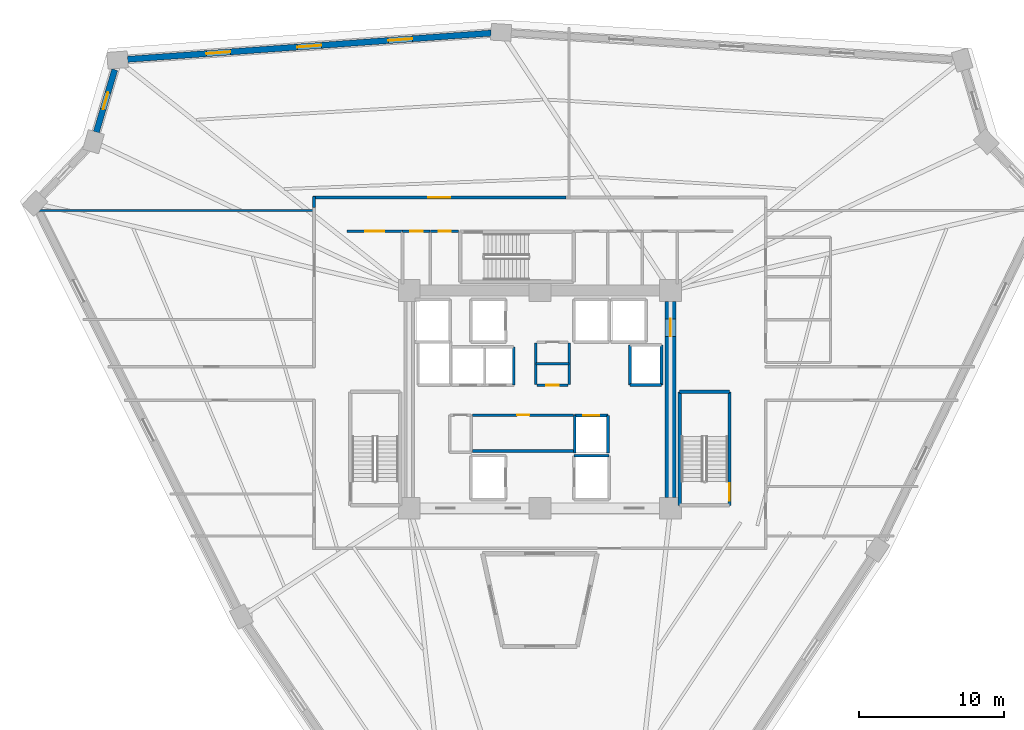
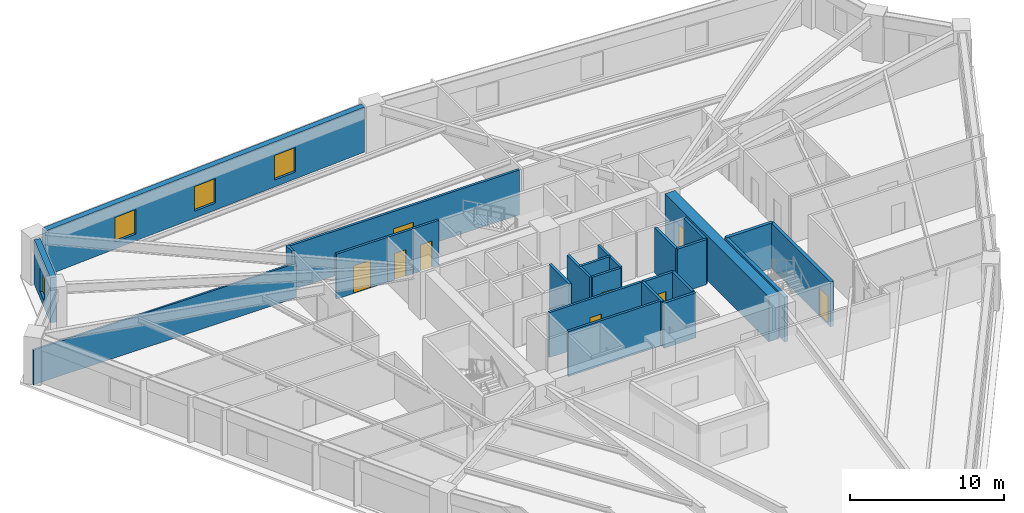
# One storey, part 5 of 10: 26 walls, 9 doors, 4 windows, 13 openings.
"""IFC4 building model written with IfcOpenShell, lengths in metres."""

from ifc_helpers import new_model, si_unit, direction, frame, frame_2d, origin, place, context, subcontext, project, spatial, rectangle, extrude, source, transform, mapped, material, layer, layer_set, type_object, element, fill, save


model = new_model("IFC4")

# Units and contexts
model_context = context("Model", 3, precision=1e-05, world=origin(), true_north=direction((0.0, 1.0)))
body_context = subcontext(model_context, "Body", "Model", "MODEL_VIEW")
ifc_project = project(units=[si_unit("LENGTHUNIT", "METRE"), si_unit("AREAUNIT", "SQUARE_METRE"), si_unit("VOLUMEUNIT", "CUBIC_METRE"), si_unit("PLANEANGLEUNIT", "RADIAN"), si_unit("MASSUNIT", "GRAM", prefix="KILO")], contexts=[model_context])

# Site, building, storey
site_placement = place(None, origin())
site = spatial("IfcSite", under=ifc_project, at=site_placement, CompositionType="ELEMENT")
building_placement = place(site_placement, origin())
building = spatial("IfcBuilding", under=site, at=building_placement, Name="Liaohun Quay Tower", CompositionType="ELEMENT")
storey_placement = place(building_placement, frame((0.0, 0.0, 166.5)))
storey = spatial("IfcBuildingStorey", under=building, at=storey_placement, Name="L43", CompositionType="ELEMENT", Elevation=166.5)

# Wall, opening, door
ifc_material_1 = material(Name="Concrete C60", Category="concrete")
ifc_layer_1 = layer(ifc_material_1, 0.75, Name="Concrete C60", Category="concrete")
ifc_layer_set_1 = layer_set([ifc_layer_1], Name="Concrete C60")
wall_type_1 = type_object("IfcWallType", Name="WAL-COR-Z2", PredefinedType="SHEAR", material=ifc_layer_set_1)
wall_1_placement = place(storey_placement, frame((69.0, 60.75, 0.0), z_axis=(0.0, 0.0, 1.0), x_axis=(0.0, -1.0, 0.0)))
wall_1 = element("IfcWall", 1, at=wall_1_placement, inside=storey, type_object=wall_type_1, Name="L43 Central Core Shear Wall E", PredefinedType="SHEAR", context=body_context, shape_type="SweptSolid", body=[
    extrude(rectangle(XDim=13.5, YDim=0.75, at=frame_2d((6.75, 0.0))), origin(), (0.0, 0.0, 1.0), 3.570068359375),
])
shared_shape_1 = source(origin(), body_context, "Body", "SweptSolid", [
    extrude(rectangle(XDim=1.199951171875, YDim=2.199951171875, at=frame_2d((0.60009765625, 1.10009765625))), frame((0.0, 0.385009765625, 0.0), z_axis=(0.0, -1.0, 0.0), x_axis=(1.0, 0.0, 0.0)), (0.0, 0.0, 1.0), 0.77001953125),
])
opening_1_placement = place(wall_1_placement, frame((1.199951171875, 0.0, 0.0)))
opening_1 = element("IfcOpeningElement", 2, at=opening_1_placement, cuts=wall_1, Name="Opening SD1", PredefinedType="OPENING", context=body_context, shape_type="MappedRepresentation", body=[
    mapped(shared_shape_1, transform((0.0, 0.0, 0.0), x_axis=(1.0, 0.0, 0.0), y_axis=(0.0, 1.0, 0.0), z_axis=(0.0, 0.0, 1.0), scale=1.0)),
])
ifc_material_2 = material(Name="Galvanised steel fire door", Category="steel")
door_type_1 = type_object("IfcDoorType", Name="DOR-STR-1200", OperationType="NOTDEFINED", PredefinedType="DOOR", material=ifc_material_2)
shared_shape_2 = source(origin(), body_context, "Body", "SweptSolid", [
    extrude(rectangle(XDim=1.199951171875, YDim=2.199951171875, at=frame_2d((0.60009765625, 1.10009765625))), frame((0.0, 0.02490234375, 0.0), z_axis=(0.0, -1.0, 0.0), x_axis=(1.0, 0.0, 0.0)), (0.0, 0.0, 1.0), 0.050048828125),
])
door_1_placement = place(opening_1_placement, origin())
door_1 = element("IfcDoor", 3, at=door_1_placement, inside=storey, type_object=door_type_1, Name="L43 North-East Core Lobby Smokeproof Door", OperationType="SINGLE_SWING_LEFT", OverallHeight=2.199951171875, OverallWidth=1.199951171875, PredefinedType="DOOR", context=body_context, shape_type="MappedRepresentation", body=[
    mapped(shared_shape_2, transform((0.0, 0.0, 0.0), x_axis=(1.0, 0.0, 0.0), y_axis=(0.0, 1.0, 0.0), z_axis=(0.0, 0.0, 1.0), scale=1.0)),
])
fill(opening_1, door_1)

# Wall, openings, windows
ifc_material_3 = material(Name="Precast concrete C50 insulated sandwich", Category="concrete")
ifc_layer_2 = layer(ifc_material_3, 0.419921875, Name="Precast concrete C50 insulated sandwich", Category="concrete")
ifc_layer_set_2 = layer_set([ifc_layer_2], Name="Precast concrete C50 insulated sandwich")
wall_type_2 = type_object("IfcWallType", Name="WAL-EXT-Z12", PredefinedType="SOLIDWALL", material=ifc_layer_set_2)
wall_2_placement = place(storey_placement, frame((56.64111328125, 79.23291015625, 0.0), z_axis=(0.0, 0.0, 1.0), x_axis=(-0.997406603589, -0.071972683136, 0.0)))
wall_2 = element("IfcWall", 4, at=wall_2_placement, inside=storey, type_object=wall_type_2, Name="L43 Brutalist Precast Pier Wall 07", PredefinedType="SOLIDWALL", context=body_context, shape_type="SweptSolid", body=[
    extrude(rectangle(XDim=25.105224609375, YDim=0.419921875, at=frame_2d((12.552734375, 0.0))), origin(), (0.0, 0.0, 1.0), 3.570068359375),
])
shared_shape_3 = source(origin(), body_context, "Body", "SweptSolid", [
    extrude(rectangle(XDim=1.64990234375, YDim=1.949951171875, at=frame_2d((0.824951171875, 0.97509765625))), frame((0.0, 0.219970703125, 0.0), z_axis=(0.0, -1.0, 0.0), x_axis=(1.0, 0.0, 0.0)), (0.0, 0.0, 1.0), 0.43994140625),
])
opening_2_placement = place(wall_2_placement, frame((5.450927734375, 0.0, 0.550048828125)))
opening_2 = element("IfcOpeningElement", 5, at=opening_2_placement, cuts=wall_2, Name="Opening W02", PredefinedType="OPENING", context=body_context, shape_type="MappedRepresentation", body=[
    mapped(shared_shape_3, transform((0.0, 0.0, 0.0), x_axis=(1.0, 0.0, 0.0), y_axis=(0.0, 1.0, 0.0), z_axis=(0.0, 0.0, 1.0), scale=1.0)),
])
opening_3_placement = place(wall_2_placement, frame((11.72802734375, 0.0, 0.550048828125)))
opening_3 = element("IfcOpeningElement", 6, at=opening_3_placement, cuts=wall_2, Name="Opening W02", PredefinedType="OPENING", context=body_context, shape_type="MappedRepresentation", body=[
    mapped(shared_shape_3, transform((0.0, 0.0, 0.0), x_axis=(1.0, 0.0, 0.0), y_axis=(0.0, 1.0, 0.0), z_axis=(0.0, 0.0, 1.0), scale=1.0)),
])
opening_4_placement = place(wall_2_placement, frame((18.00390625, 0.0, 0.550048828125)))
opening_4 = element("IfcOpeningElement", 7, at=opening_4_placement, cuts=wall_2, Name="Opening W02", PredefinedType="OPENING", context=body_context, shape_type="MappedRepresentation", body=[
    mapped(shared_shape_3, transform((0.0, 0.0, 0.0), x_axis=(1.0, 0.0, 0.0), y_axis=(0.0, 1.0, 0.0), z_axis=(0.0, 0.0, 1.0), scale=1.0)),
])
ifc_material_4 = material(Name="Triple Low-E argon glazing in thermally broken aluminium", Category="aluminium")
window_type_1 = type_object("IfcWindowType", Name="WIN-PUN-Z2", PartitioningType="DOUBLE_PANEL_VERTICAL", PredefinedType="WINDOW", material=ifc_material_4)
shared_shape_4 = source(origin(), body_context, "Body", "SweptSolid", [
    extrude(rectangle(XDim=1.64990234375, YDim=1.949951171875, at=frame_2d((0.824951171875, 0.97509765625))), frame((0.0, 0.030029296875, 0.0), z_axis=(0.0, -1.0, 0.0), x_axis=(1.0, 0.0, 0.0)), (0.0, 0.0, 1.0), 0.06005859375),
])
window_1_placement = place(opening_2_placement, origin())
window_1 = element("IfcWindow", 8, at=window_1_placement, inside=storey, type_object=window_type_1, Name="L43 Recessed Cold-Climate Punched Window 07-1", OverallHeight=1.949951171875, OverallWidth=1.64990234375, PartitioningType="DOUBLE_PANEL_VERTICAL", PredefinedType="WINDOW", context=body_context, shape_type="MappedRepresentation", body=[
    mapped(shared_shape_4, transform((0.0, 0.0, 0.0), x_axis=(1.0, 0.0, 0.0), y_axis=(0.0, 1.0, 0.0), z_axis=(0.0, 0.0, 1.0), scale=1.0)),
])
fill(opening_2, window_1)
window_2_placement = place(opening_3_placement, origin())
window_2 = element("IfcWindow", 9, at=window_2_placement, inside=storey, type_object=window_type_1, Name="L43 Recessed Cold-Climate Punched Window 07-2", OverallHeight=1.949951171875, OverallWidth=1.64990234375, PartitioningType="DOUBLE_PANEL_VERTICAL", PredefinedType="WINDOW", context=body_context, shape_type="MappedRepresentation", body=[
    mapped(shared_shape_4, transform((0.0, 0.0, 0.0), x_axis=(1.0, 0.0, 0.0), y_axis=(0.0, 1.0, 0.0), z_axis=(0.0, 0.0, 1.0), scale=1.0)),
])
fill(opening_3, window_2)
window_3_placement = place(opening_4_placement, origin())
window_3 = element("IfcWindow", 10, at=window_3_placement, inside=storey, type_object=window_type_1, Name="L43 Recessed Cold-Climate Punched Window 07-3", OverallHeight=1.949951171875, OverallWidth=1.64990234375, PartitioningType="DOUBLE_PANEL_VERTICAL", PredefinedType="WINDOW", context=body_context, shape_type="MappedRepresentation", body=[
    mapped(shared_shape_4, transform((0.0, 0.0, 0.0), x_axis=(1.0, 0.0, 0.0), y_axis=(0.0, 1.0, 0.0), z_axis=(0.0, 0.0, 1.0), scale=1.0)),
])
fill(opening_4, window_3)

# Wall, opening, window
wall_3_placement = place(storey_placement, frame((30.718017578125, 76.714111328125, 0.0), z_axis=(0.0, 0.0, 1.0), x_axis=(-0.282994479967, -0.959121537819, 0.0)))
wall_3 = element("IfcWall", 11, at=wall_3_placement, inside=storey, type_object=wall_type_2, Name="L43 Brutalist Precast Pier Wall 08", PredefinedType="SOLIDWALL", context=body_context, shape_type="SweptSolid", body=[
    extrude(rectangle(XDim=4.484375, YDim=0.419921875, at=frame_2d((2.2421875, 0.0))), origin(), (0.0, 0.0, 1.0), 3.570068359375),
])
shared_shape_5 = source(origin(), body_context, "Body", "SweptSolid", [
    extrude(rectangle(XDim=1.199951171875, YDim=1.89990234375, at=frame_2d((0.60009765625, 0.949951171875))), frame((0.0, 0.219970703125, 0.0), z_axis=(0.0, -1.0, 0.0), x_axis=(1.0, 0.0, 0.0)), (0.0, 0.0, 1.0), 0.43994140625),
])
opening_5_placement = place(wall_3_placement, frame((1.64208984375, 0.0, 0.550048828125)))
opening_5 = element("IfcOpeningElement", 12, at=opening_5_placement, cuts=wall_3, Name="Opening W05", PredefinedType="OPENING", context=body_context, shape_type="MappedRepresentation", body=[
    mapped(shared_shape_5, transform((0.0, 0.0, 0.0), x_axis=(1.0, 0.0, 0.0), y_axis=(0.0, 1.0, 0.0), z_axis=(0.0, 0.0, 1.0), scale=1.0)),
])
ifc_material_5 = material(Name="Triple Low-E corner notch glazing", Category="glass")
window_type_2 = type_object("IfcWindowType", Name="WIN-NOTCH", PartitioningType="SINGLE_PANEL", PredefinedType="WINDOW", material=ifc_material_5)
shared_shape_6 = source(origin(), body_context, "Body", "SweptSolid", [
    extrude(rectangle(XDim=1.199951171875, YDim=1.89990234375, at=frame_2d((0.60009765625, 0.949951171875))), frame((0.0, 0.030029296875, 0.0), z_axis=(0.0, -1.0, 0.0), x_axis=(1.0, 0.0, 0.0)), (0.0, 0.0, 1.0), 0.06005859375),
])
window_4_placement = place(opening_5_placement, origin())
window_4 = element("IfcWindow", 13, at=window_4_placement, inside=storey, type_object=window_type_2, Name="L43 Corner Notch Window W05-08", OverallHeight=1.89990234375, OverallWidth=1.199951171875, PartitioningType="SINGLE_PANEL", PredefinedType="WINDOW", context=body_context, shape_type="MappedRepresentation", body=[
    mapped(shared_shape_6, transform((0.0, 0.0, 0.0), x_axis=(1.0, 0.0, 0.0), y_axis=(0.0, 1.0, 0.0), z_axis=(0.0, 0.0, 1.0), scale=1.0)),
])
fill(opening_5, window_4)

# Wall, opening, door
ifc_material_6 = material(Name="Autoclaved aerated concrete blockwork", Category="masonry")
ifc_layer_3 = layer(ifc_material_6, 0.179931640625, Name="Autoclaved aerated concrete blockwork", Category="masonry")
ifc_layer_set_3 = layer_set([ifc_layer_3], Name="Autoclaved aerated concrete blockwork")
wall_type_3 = type_object("IfcWallType", Name="WAL-PRT-COR", PredefinedType="PARTITIONING", material=ifc_layer_set_3)
wall_4_placement = place(storey_placement, frame((55.3701171875, 52.919921875, 0.0), z_axis=(0.0, 0.0, 1.0), x_axis=(1.0, 0.0, 0.0)))
wall_4 = element("IfcWall", 14, at=wall_4_placement, inside=storey, type_object=wall_type_3, Name="L43 Interior Partition Wall 001", PredefinedType="PARTITIONING", context=body_context, shape_type="SweptSolid", body=[
    extrude(rectangle(XDim=6.929931640625, YDim=0.179931640625, at=frame_2d((3.46484375, 0.0))), origin(), (0.0, 0.0, 1.0), 3.570068359375),
])
shared_shape_7 = source(origin(), body_context, "Body", "SweptSolid", [
    extrude(rectangle(XDim=0.85009765625, YDim=2.10009765625, at=frame_2d((0.425048828125, 1.050048828125))), frame((0.0, 0.099853515625, 0.0), z_axis=(0.0, -1.0, 0.0), x_axis=(1.0, 0.0, 0.0)), (0.0, 0.0, 1.0), 0.199951171875),
])
opening_6_placement = place(wall_4_placement, frame((3.054931640625, 0.0, 0.0)))
opening_6 = element("IfcOpeningElement", 15, at=opening_6_placement, cuts=wall_4, Name="Opening AD1", PredefinedType="OPENING", context=body_context, shape_type="MappedRepresentation", body=[
    mapped(shared_shape_7, transform((0.0, 0.0, 0.0), x_axis=(1.0, 0.0, 0.0), y_axis=(0.0, 1.0, 0.0), z_axis=(0.0, 0.0, 1.0), scale=1.0)),
])
ifc_material_7 = material(Name="Steel riser inspection fire door", Category="steel")
door_type_2 = type_object("IfcDoorType", Name="DOR-SHF-850", OperationType="NOTDEFINED", PredefinedType="DOOR", material=ifc_material_7)
shared_shape_8 = source(origin(), body_context, "Body", "SweptSolid", [
    extrude(rectangle(XDim=0.85009765625, YDim=2.10009765625, at=frame_2d((0.425048828125, 1.050048828125))), frame((0.0, 0.02490234375, 0.0), z_axis=(0.0, -1.0, 0.0), x_axis=(1.0, 0.0, 0.0)), (0.0, 0.0, 1.0), 0.050048828125),
])
door_2_placement = place(opening_6_placement, origin())
door_2 = element("IfcDoor", 16, at=door_2_placement, inside=storey, type_object=door_type_2, Name="L43 Core Tenant Storage and Archive Room Door", OperationType="SINGLE_SWING_RIGHT", OverallHeight=2.10009765625, OverallWidth=0.85009765625, PredefinedType="DOOR", context=body_context, shape_type="MappedRepresentation", body=[
    mapped(shared_shape_8, transform((0.0, 0.0, 0.0), x_axis=(1.0, 0.0, 0.0), y_axis=(0.0, 1.0, 0.0), z_axis=(0.0, 0.0, 1.0), scale=1.0)),
])
fill(opening_6, door_2)

wall_5_placement = place(storey_placement, frame((59.81005859375, 54.97998046875, 0.0), z_axis=(0.0, 0.0, 1.0), x_axis=(1.0, 0.0, 0.0)))
wall_5 = element("IfcWall", 17, at=wall_5_placement, inside=storey, type_object=wall_type_3, Name="L43 Interior Partition Wall 002", PredefinedType="PARTITIONING", context=body_context, shape_type="SweptSolid", body=[
    extrude(rectangle(XDim=2.10986328125, YDim=0.179931640625, at=frame_2d((1.054931640625, 0.0))), origin(), (0.0, 0.0, 1.0), 3.570068359375),
])
opening_7_placement = place(wall_5_placement, frame((0.635009765625, 0.0, 0.0)))
opening_7 = element("IfcOpeningElement", 18, at=opening_7_placement, cuts=wall_5, Name="Opening AD1", PredefinedType="OPENING", context=body_context, shape_type="MappedRepresentation", body=[
    mapped(shared_shape_7, transform((0.0, 0.0, 0.0), x_axis=(1.0, 0.0, 0.0), y_axis=(0.0, 1.0, 0.0), z_axis=(0.0, 0.0, 1.0), scale=1.0)),
])
door_3_placement = place(opening_7_placement, origin())
door_3 = element("IfcDoor", 19, at=door_3_placement, inside=storey, type_object=door_type_2, Name="L43 Electrical Riser Room Door", OperationType="SINGLE_SWING_LEFT", OverallHeight=2.10009765625, OverallWidth=0.85009765625, PredefinedType="DOOR", context=body_context, shape_type="MappedRepresentation", body=[
    mapped(shared_shape_8, transform((0.0, 0.0, 0.0), x_axis=(1.0, 0.0, 0.0), y_axis=(0.0, 1.0, 0.0), z_axis=(0.0, 0.0, 1.0), scale=1.0)),
])
fill(opening_7, door_3)

wall_6_placement = place(storey_placement, frame((50.5400390625, 65.580078125, 0.0), z_axis=(0.0, 0.0, 1.0), x_axis=(1.0, 0.0, 0.0)))
wall_6 = element("IfcWall", 20, at=wall_6_placement, inside=storey, type_object=wall_type_3, Name="L43 Interior Partition Wall 008", PredefinedType="PARTITIONING", context=body_context, shape_type="SweptSolid", body=[
    extrude(rectangle(XDim=1.89990234375, YDim=0.179931640625, at=frame_2d((0.949951171875, 0.0))), origin(), (0.0, 0.0, 1.0), 3.570068359375),
])
opening_8_placement = place(wall_6_placement, frame((0.52490234375, 0.0, 0.0)))
opening_8 = element("IfcOpeningElement", 21, at=opening_8_placement, cuts=wall_6, Name="Opening AD1", PredefinedType="OPENING", context=body_context, shape_type="MappedRepresentation", body=[
    mapped(shared_shape_7, transform((0.0, 0.0, 0.0), x_axis=(1.0, 0.0, 0.0), y_axis=(0.0, 1.0, 0.0), z_axis=(0.0, 0.0, 1.0), scale=1.0)),
])
door_4_placement = place(opening_8_placement, origin())
door_4 = element("IfcDoor", 22, at=door_4_placement, inside=storey, type_object=door_type_2, Name="L43 North-West Riser Closet Door", OperationType="SINGLE_SWING_LEFT", OverallHeight=2.10009765625, OverallWidth=0.85009765625, PredefinedType="DOOR", context=body_context, shape_type="MappedRepresentation", body=[
    mapped(shared_shape_8, transform((0.0, 0.0, 0.0), x_axis=(1.0, 0.0, 0.0), y_axis=(0.0, 1.0, 0.0), z_axis=(0.0, 0.0, 1.0), scale=1.0)),
])
fill(opening_8, door_4)

wall_7_placement = place(storey_placement, frame((52.47998046875, 65.580078125, 0.0), z_axis=(0.0, 0.0, 1.0), x_axis=(1.0, 0.0, 0.0)))
wall_7 = element("IfcWall", 23, at=wall_7_placement, inside=storey, type_object=wall_type_3, Name="L43 Interior Partition Wall 009", PredefinedType="PARTITIONING", context=body_context, shape_type="SweptSolid", body=[
    extrude(rectangle(XDim=1.929931640625, YDim=0.179931640625, at=frame_2d((0.96484375, 0.0))), origin(), (0.0, 0.0, 1.0), 3.570068359375),
])
opening_9_placement = place(wall_7_placement, frame((0.5400390625, 0.0, 0.0)))
opening_9 = element("IfcOpeningElement", 24, at=opening_9_placement, cuts=wall_7, Name="Opening AD1", PredefinedType="OPENING", context=body_context, shape_type="MappedRepresentation", body=[
    mapped(shared_shape_7, transform((0.0, 0.0, 0.0), x_axis=(1.0, 0.0, 0.0), y_axis=(0.0, 1.0, 0.0), z_axis=(0.0, 0.0, 1.0), scale=1.0)),
])
door_5_placement = place(opening_9_placement, origin())
door_5 = element("IfcDoor", 25, at=door_5_placement, inside=storey, type_object=door_type_2, Name="L43 North-West Print Closet Door", OperationType="SINGLE_SWING_RIGHT", OverallHeight=2.10009765625, OverallWidth=0.85009765625, PredefinedType="DOOR", context=body_context, shape_type="MappedRepresentation", body=[
    mapped(shared_shape_8, transform((0.0, 0.0, 0.0), x_axis=(1.0, 0.0, 0.0), y_axis=(0.0, 1.0, 0.0), z_axis=(0.0, 0.0, 1.0), scale=1.0)),
])
fill(opening_9, door_5)

wall_8_placement = place(storey_placement, frame((46.699951171875, 65.580078125, 0.0), z_axis=(0.0, 0.0, 1.0), x_axis=(1.0, 0.0, 0.0)))
wall_8 = element("IfcWall", 26, at=wall_8_placement, inside=storey, type_object=wall_type_3, Name="L43 Interior Partition Wall 013", PredefinedType="PARTITIONING", context=body_context, shape_type="SweptSolid", body=[
    extrude(rectangle(XDim=3.840087890625, YDim=0.179931640625, at=frame_2d((1.919921875, 0.0))), origin(), (0.0, 0.0, 1.0), 3.570068359375),
])
shared_shape_9 = source(origin(), body_context, "Body", "SweptSolid", [
    extrude(rectangle(XDim=1.300048828125, YDim=2.199951171875, at=frame_2d((0.64990234375, 1.10009765625))), frame((0.0, 0.099853515625, 0.0), z_axis=(0.0, -1.0, 0.0), x_axis=(1.0, 0.0, 0.0)), (0.0, 0.0, 1.0), 0.199951171875),
])
opening_10_placement = place(wall_8_placement, frame((1.27001953125, 0.0, 0.0)))
opening_10 = element("IfcOpeningElement", 27, at=opening_10_placement, cuts=wall_8, Name="Opening FD1", PredefinedType="OPENING", context=body_context, shape_type="MappedRepresentation", body=[
    mapped(shared_shape_9, transform((0.0, 0.0, 0.0), x_axis=(1.0, 0.0, 0.0), y_axis=(0.0, 1.0, 0.0), z_axis=(0.0, 0.0, 1.0), scale=1.0)),
])
ifc_material_8 = material(Name="Galvanised steel smokeproof fire door", Category="steel")
door_type_3 = type_object("IfcDoorType", Name="DOR-FFL-1300", OperationType="NOTDEFINED", PredefinedType="DOOR", material=ifc_material_8)
shared_shape_10 = source(origin(), body_context, "Body", "SweptSolid", [
    extrude(rectangle(XDim=1.300048828125, YDim=2.199951171875, at=frame_2d((0.64990234375, 1.10009765625))), frame((0.0, 0.02490234375, 0.0), z_axis=(0.0, -1.0, 0.0), x_axis=(1.0, 0.0, 0.0)), (0.0, 0.0, 1.0), 0.050048828125),
])
door_6_placement = place(opening_10_placement, origin())
door_6 = element("IfcDoor", 28, at=door_6_placement, inside=storey, type_object=door_type_3, Name="L43 West Core Vestibule Door", OperationType="SINGLE_SWING_RIGHT", OverallHeight=2.199951171875, OverallWidth=1.300048828125, PredefinedType="DOOR", context=body_context, shape_type="MappedRepresentation", body=[
    mapped(shared_shape_10, transform((0.0, 0.0, 0.0), x_axis=(1.0, 0.0, 0.0), y_axis=(0.0, 1.0, 0.0), z_axis=(0.0, 0.0, 1.0), scale=1.0)),
])
fill(opening_10, door_6)

wall_9_placement = place(storey_placement, frame((44.3701171875, 67.909912109375, 0.0), z_axis=(0.0, 0.0, 1.0), x_axis=(1.0, 0.0, 0.0)))
wall_9 = element("IfcWall", 29, at=wall_9_placement, inside=storey, type_object=wall_type_3, Name="L43 Interior Partition Wall 017", PredefinedType="PARTITIONING", context=body_context, shape_type="SweptSolid", body=[
    extrude(rectangle(XDim=17.414794921875, YDim=0.179931640625, at=frame_2d((8.70751953125, 0.0))), origin(), (0.0, 0.0, 1.0), 3.570068359375),
])
shared_shape_11 = source(origin(), body_context, "Body", "SweptSolid", [
    extrude(rectangle(XDim=1.5, YDim=2.199951171875, at=frame_2d((0.75, 1.10009765625))), frame((0.0, 0.099853515625, 0.0), z_axis=(0.0, -1.0, 0.0), x_axis=(1.0, 0.0, 0.0)), (0.0, 0.0, 1.0), 0.199951171875),
])
opening_11_placement = place(wall_9_placement, frame((7.95703125, 0.0, 0.0)))
opening_11 = element("IfcOpeningElement", 30, at=opening_11_placement, cuts=wall_9, Name="Opening OD2", PredefinedType="OPENING", context=body_context, shape_type="MappedRepresentation", body=[
    mapped(shared_shape_11, transform((0.0, 0.0, 0.0), x_axis=(1.0, 0.0, 0.0), y_axis=(0.0, 1.0, 0.0), z_axis=(0.0, 0.0, 1.0), scale=1.0)),
])
ifc_material_9 = material(Name="Acoustic oak veneer double door")
door_type_4 = type_object("IfcDoorType", Name="DOR-OFF-1500", OperationType="DOUBLE_DOOR_SINGLE_SWING", PredefinedType="DOOR", material=ifc_material_9)
shared_shape_12 = source(origin(), body_context, "Body", "SweptSolid", [
    extrude(rectangle(XDim=1.5, YDim=2.199951171875, at=frame_2d((0.75, 1.10009765625))), frame((0.0, 0.02490234375, 0.0), z_axis=(0.0, -1.0, 0.0), x_axis=(1.0, 0.0, 0.0)), (0.0, 0.0, 1.0), 0.050048828125),
])
door_7_placement = place(opening_11_placement, origin())
door_7 = element("IfcDoor", 31, at=door_7_placement, inside=storey, type_object=door_type_4, Name="L43 Technical Reference Library 03 Door", OperationType="DOUBLE_DOOR_SINGLE_SWING", OverallHeight=2.199951171875, OverallWidth=1.5, PredefinedType="DOOR", context=body_context, shape_type="MappedRepresentation", body=[
    mapped(shared_shape_12, transform((0.0, 0.0, 0.0), x_axis=(1.0, 0.0, 0.0), y_axis=(0.0, 1.0, 0.0), z_axis=(0.0, 0.0, 1.0), scale=1.0)),
])
fill(opening_11, door_7)

# Walls
for number, where, z_axis, x_axis, name in (
    (32, (59.719970703125, 55.02001953125, 0.0), (0.0, 0.0, 1.0), (0.0, 1.0, 0.0), "L43 Interior Partition Wall 025"),
    (33, (62.010009765625, 55.02001953125, 0.0), (0.0, 0.0, 1.0), (0.0, 1.0, 0.0), "L43 Interior Partition Wall 026"),
):
    element("IfcWall", number, at=place(storey_placement, frame(where, z_axis=z_axis, x_axis=x_axis)), inside=storey, type_object=wall_type_3, Name=name, PredefinedType="PARTITIONING", context=body_context, shape_type="SweptSolid", body=[
        extrude(rectangle(XDim=2.8798828125, YDim=0.179931640625, at=frame_2d((1.43994140625, 0.0))), origin(), (0.0, 0.0, 1.0), 3.570068359375),
    ])
wall_10_placement = place(storey_placement, frame((59.719970703125, 56.4599609375, 0.0), z_axis=(0.0, 0.0, 1.0), x_axis=(1.0, 0.0, 0.0)))
element("IfcWall", 34, at=wall_10_placement, inside=storey, type_object=wall_type_3, Name="L43 Interior Partition Wall 027", PredefinedType="PARTITIONING", context=body_context, shape_type="SweptSolid", body=[
    extrude(rectangle(XDim=2.2900390625, YDim=0.179931640625, at=frame_2d((1.14501953125, 0.0))), origin(), (0.0, 0.0, 1.0), 3.570068359375),
])
wall_11_placement = place(storey_placement, frame((44.43994140625, 67.215087890625, 0.0), z_axis=(0.0, 0.0, 1.0), x_axis=(0.0, 1.0, 0.0)))
element("IfcWall", 35, at=wall_11_placement, inside=storey, type_object=wall_type_3, Name="L43 Interior Partition Wall 043", PredefinedType="PARTITIONING", context=body_context, shape_type="SweptSolid", body=[
    extrude(rectangle(XDim=0.764892578125, YDim=0.179931640625, at=frame_2d((0.38232421875, 0.0))), origin(), (0.0, 0.0, 1.0), 3.570068359375),
])
wall_12_placement = place(storey_placement, frame((55.3701171875, 50.449951171875, 0.0), z_axis=(0.0, 0.0, 1.0), x_axis=(1.0, 0.0, 0.0)))
element("IfcWall", 36, at=wall_12_placement, inside=storey, type_object=wall_type_3, Name="L43 Interior Partition Wall 057", PredefinedType="PARTITIONING", context=body_context, shape_type="SweptSolid", body=[
    extrude(rectangle(XDim=6.929931640625, YDim=0.179931640625, at=frame_2d((3.46484375, 0.0))), origin(), (0.0, 0.0, 1.0), 3.570068359375),
])
ifc_material_10 = material(Name="Gypsum board on twin steel studs", Category="steel")
ifc_layer_4 = layer(ifc_material_10, 0.139892578125, Name="Gypsum board on twin steel studs", Category="steel")
ifc_layer_set_4 = layer_set([ifc_layer_4], Name="Gypsum board on twin steel studs")
wall_type_4 = type_object("IfcWallType", Name="WAL-PRT-OFF", PredefinedType="PARTITIONING", material=ifc_layer_set_4)
wall_13_placement = place(storey_placement, frame((44.5400390625, 67.0, 0.0), z_axis=(0.0, 0.0, 1.0), x_axis=(-1.0, 0.0, 0.0)))
element("IfcWall", 37, at=wall_13_placement, inside=storey, type_object=wall_type_4, Name="L43 Interior Partition Wall 052", PredefinedType="PARTITIONING", context=body_context, shape_type="SweptSolid", body=[
    extrude(rectangle(XDim=19.77197265625, YDim=0.139892578125, at=frame_2d((9.885986328125, 0.0))), origin(), (0.0, 0.0, 1.0), 2.7548828125),
])

# Wall, opening, door
ifc_material_11 = material(Name="Concrete C50", Category="concrete")
ifc_layer_5 = layer(ifc_material_11, 0.239990234375, Name="Concrete C50", Category="concrete")
ifc_layer_set_5 = layer_set([ifc_layer_5], Name="Concrete C50")
wall_type_5 = type_object("IfcWallType", Name="WAL-SHF-200", PredefinedType="SOLIDWALL", material=ifc_layer_set_5)
wall_14_placement = place(storey_placement, frame((73.06005859375, 46.699951171875, 0.0), z_axis=(0.0, 0.0, 1.0), x_axis=(0.0, 1.0, 0.0)))
wall_14 = element("IfcWall", 38, at=wall_14_placement, inside=storey, type_object=wall_type_5, Name="L43 Stairwell ST-2 Structural Core Wall E", PredefinedType="SOLIDWALL", context=body_context, shape_type="SweptSolid", body=[
    extrude(rectangle(XDim=7.820068359375, YDim=0.239990234375, at=frame_2d((3.91015625, 0.0))), origin(), (0.0, 0.0, 1.0), 3.570068359375),
])
shared_shape_13 = source(origin(), body_context, "Body", "SweptSolid", [
    extrude(rectangle(XDim=1.199951171875, YDim=2.199951171875, at=frame_2d((0.60009765625, 1.10009765625))), frame((0.0, 0.1298828125, 0.0), z_axis=(0.0, -1.0, 0.0), x_axis=(1.0, 0.0, 0.0)), (0.0, 0.0, 1.0), 0.260009765625),
])
opening_12_placement = place(wall_14_placement, frame((0.320068359375, 0.0, 0.0)))
opening_12 = element("IfcOpeningElement", 39, at=opening_12_placement, cuts=wall_14, Name="Opening SD1", PredefinedType="OPENING", context=body_context, shape_type="MappedRepresentation", body=[
    mapped(shared_shape_13, transform((0.0, 0.0, 0.0), x_axis=(1.0, 0.0, 0.0), y_axis=(0.0, 1.0, 0.0), z_axis=(0.0, 0.0, 1.0), scale=1.0)),
])
door_8_placement = place(opening_12_placement, origin())
door_8 = element("IfcDoor", 40, at=door_8_placement, inside=storey, type_object=door_type_1, Name="L43 Protected Stair ST-2 Fire Door", OperationType="SINGLE_SWING_RIGHT", OverallHeight=2.199951171875, OverallWidth=1.199951171875, PredefinedType="DOOR", context=body_context, shape_type="MappedRepresentation", body=[
    mapped(shared_shape_2, transform((0.0, 0.0, 0.0), x_axis=(1.0, 0.0, 0.0), y_axis=(0.0, 1.0, 0.0), z_axis=(0.0, 0.0, 1.0), scale=1.0)),
])
fill(opening_12, door_8)

# Walls
wall_15_placement = place(storey_placement, frame((73.06005859375, 54.52001953125, 0.0), z_axis=(0.0, 0.0, 1.0), x_axis=(-1.0, 0.0, 0.0)))
element("IfcWall", 41, at=wall_15_placement, inside=storey, type_object=wall_type_5, Name="L43 Stairwell ST-2 Structural Core Wall N", PredefinedType="SOLIDWALL", context=body_context, shape_type="SweptSolid", body=[
    extrude(rectangle(XDim=3.43994140625, YDim=0.239990234375, at=frame_2d((1.719970703125, 0.0))), origin(), (0.0, 0.0, 1.0), 3.570068359375),
])
wall_16_placement = place(storey_placement, frame((69.6201171875, 54.52001953125, 0.0), z_axis=(0.0, 0.0, 1.0), x_axis=(0.0, -1.0, 0.0)))
element("IfcWall", 42, at=wall_16_placement, inside=storey, type_object=wall_type_5, Name="L43 Stairwell ST-2 Structural Core Wall W", PredefinedType="SOLIDWALL", context=body_context, shape_type="SweptSolid", body=[
    extrude(rectangle(XDim=7.820068359375, YDim=0.239990234375, at=frame_2d((3.91015625, 0.0))), origin(), (0.0, 0.0, 1.0), 3.570068359375),
])
wall_17_placement = place(storey_placement, frame((64.75, 50.1201171875, 0.0), z_axis=(0.0, 0.0, 1.0), x_axis=(-1.0, 0.0, 0.0)))
element("IfcWall", 43, at=wall_17_placement, inside=storey, type_object=wall_type_5, Name="L43 Lift FF-02 Hoistway Wall N", PredefinedType="SOLIDWALL", context=body_context, shape_type="SweptSolid", body=[
    extrude(rectangle(XDim=2.39990234375, YDim=0.199951171875, at=frame_2d((1.199951171875, 0.0))), origin(), (0.0, 0.0, 1.0), 3.570068359375),
])
wall_18_placement = place(storey_placement, frame((66.199951171875, 55.0, 0.0), z_axis=(0.0, 0.0, 1.0), x_axis=(1.0, 0.0, 0.0)))
element("IfcWall", 44, at=wall_18_placement, inside=storey, type_object=wall_type_5, Name="L43 Lift SH-03 Hoistway Wall S", PredefinedType="SOLIDWALL", context=body_context, shape_type="SweptSolid", body=[
    extrude(rectangle(XDim=2.179931640625, YDim=0.199951171875, at=frame_2d((1.08984375, 0.0))), origin(), (0.0, 0.0, 1.0), 3.570068359375),
])
for number, where, z_axis, x_axis, name in (
    (45, (68.3798828125, 55.0, 0.0), (0.0, 0.0, 1.0), (0.0, 1.0, 0.0), "L43 Lift SH-03 Hoistway Wall E"),
    (46, (66.199951171875, 57.75, 0.0), (0.0, 0.0, 1.0), (0.0, -1.0, 0.0), "L43 Lift SH-03 Hoistway Wall W"),
):
    element("IfcWall", number, at=place(storey_placement, frame(where, z_axis=z_axis, x_axis=x_axis)), inside=storey, type_object=wall_type_5, Name=name, PredefinedType="SOLIDWALL", context=body_context, shape_type="SweptSolid", body=[
        extrude(rectangle(XDim=2.75, YDim=0.199951171875, at=frame_2d((1.375, 0.0))), origin(), (0.0, 0.0, 1.0), 3.570068359375),
    ])
wall_19_placement = place(storey_placement, frame((64.699951171875, 50.300048828125, 0.0), z_axis=(0.0, 0.0, 1.0), x_axis=(0.0, 1.0, 0.0)))
element("IfcWall", 47, at=wall_19_placement, inside=storey, type_object=wall_type_5, Name="L43 Lift PL-2A Hoistway Wall E", PredefinedType="SOLIDWALL", context=body_context, shape_type="SweptSolid", body=[
    extrude(rectangle(XDim=2.599853515625, YDim=0.199951171875, at=frame_2d((1.2998046875, 0.0))), origin(), (0.0, 0.0, 1.0), 3.570068359375),
])

# Wall, opening, door
wall_20_placement = place(storey_placement, frame((64.699951171875, 52.89990234375, 0.0), z_axis=(0.0, 0.0, 1.0), x_axis=(-1.0, 0.0, 0.0)))
wall_20 = element("IfcWall", 48, at=wall_20_placement, inside=storey, type_object=wall_type_5, Name="L43 Lift PL-2A Hoistway Wall N", PredefinedType="SOLIDWALL", context=body_context, shape_type="SweptSolid", body=[
    extrude(rectangle(XDim=2.300048828125, YDim=0.199951171875, at=frame_2d((1.14990234375, 0.0))), origin(), (0.0, 0.0, 1.0), 3.570068359375),
])
shared_shape_14 = source(origin(), body_context, "Body", "SweptSolid", [
    extrude(rectangle(XDim=1.10009765625, YDim=2.199951171875, at=frame_2d((0.550048828125, 1.10009765625))), frame((0.0, 0.10986328125, 0.0), z_axis=(0.0, -1.0, 0.0), x_axis=(1.0, 0.0, 0.0)), (0.0, 0.0, 1.0), 0.219970703125),
])
opening_13_placement = place(wall_20_placement, frame((0.60009765625, 0.0, 0.0)))
opening_13 = element("IfcOpeningElement", 49, at=opening_13_placement, cuts=wall_20, Name="Opening LD1", PredefinedType="OPENING", context=body_context, shape_type="MappedRepresentation", body=[
    mapped(shared_shape_14, transform((0.0, 0.0, 0.0), x_axis=(1.0, 0.0, 0.0), y_axis=(0.0, 1.0, 0.0), z_axis=(0.0, 0.0, 1.0), scale=1.0)),
])
ifc_material_12 = material(Name="Brushed stainless steel landing door", Category="steel")
door_type_5 = type_object("IfcDoorType", Name="DOR-LFT-1100", OperationType="SLIDING_TO_LEFT", PredefinedType="DOOR", material=ifc_material_12)
shared_shape_15 = source(origin(), body_context, "Body", "SweptSolid", [
    extrude(rectangle(XDim=1.10009765625, YDim=2.199951171875, at=frame_2d((0.550048828125, 1.10009765625))), frame((0.0, 0.02490234375, 0.0), z_axis=(0.0, -1.0, 0.0), x_axis=(1.0, 0.0, 0.0)), (0.0, 0.0, 1.0), 0.050048828125),
])
door_9_placement = place(opening_13_placement, origin())
door_9 = element("IfcDoor", 50, at=door_9_placement, inside=storey, type_object=door_type_5, Name="L43 Lift PL-2A Sliding Landing Door", OperationType="SLIDING_TO_LEFT", OverallHeight=2.199951171875, OverallWidth=1.10009765625, PredefinedType="DOOR", context=body_context, shape_type="MappedRepresentation", body=[
    mapped(shared_shape_15, transform((0.0, 0.0, 0.0), x_axis=(1.0, 0.0, 0.0), y_axis=(0.0, 1.0, 0.0), z_axis=(0.0, 0.0, 1.0), scale=1.0)),
])
fill(opening_13, door_9)

# Walls
wall_21_placement = place(storey_placement, frame((62.39990234375, 52.89990234375, 0.0), z_axis=(0.0, 0.0, 1.0), x_axis=(0.0, -1.0, 0.0)))
element("IfcWall", 51, at=wall_21_placement, inside=storey, type_object=wall_type_5, Name="L43 Lift PL-2A Hoistway Wall W", PredefinedType="SOLIDWALL", context=body_context, shape_type="SweptSolid", body=[
    extrude(rectangle(XDim=2.599853515625, YDim=0.199951171875, at=frame_2d((1.2998046875, 0.0))), origin(), (0.0, 0.0, 1.0), 3.570068359375),
])
wall_22_placement = place(storey_placement, frame((58.199951171875, 55.0, 0.0), z_axis=(0.0, 0.0, 1.0), x_axis=(0.0, 1.0, 0.0)))
element("IfcWall", 52, at=wall_22_placement, inside=storey, type_object=wall_type_5, Name="L43 Lift PL-2C Hoistway Wall E", PredefinedType="SOLIDWALL", context=body_context, shape_type="SweptSolid", body=[
    extrude(rectangle(XDim=2.60009765625, YDim=0.199951171875, at=frame_2d((1.300048828125, 0.0))), origin(), (0.0, 0.0, 1.0), 3.570068359375),
])

save(model, "model.ifc")
